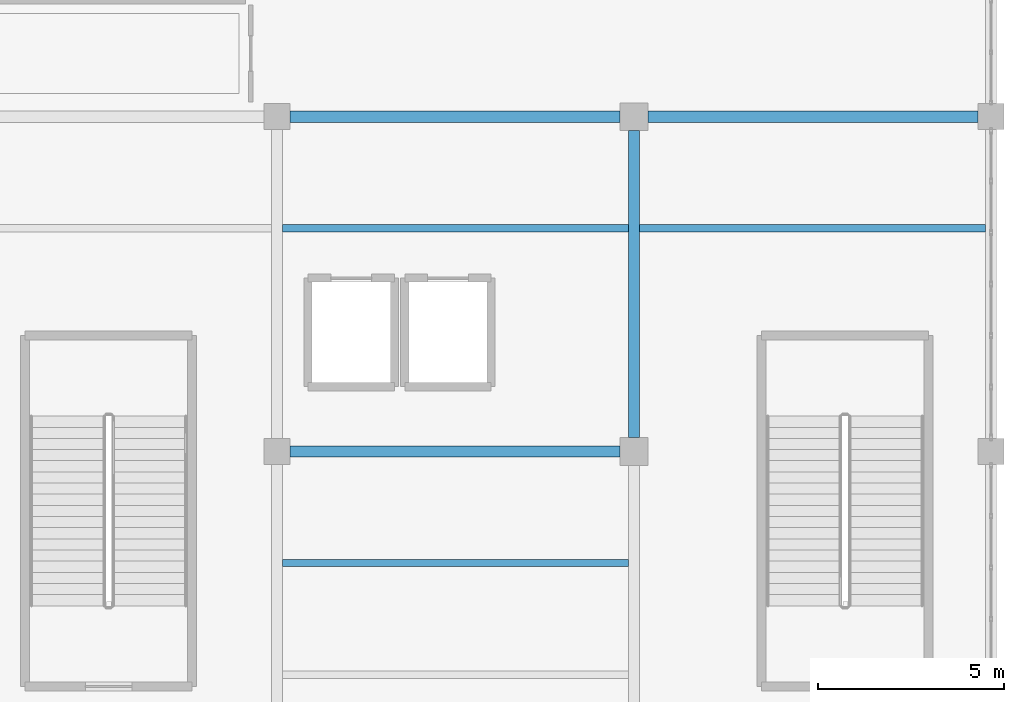
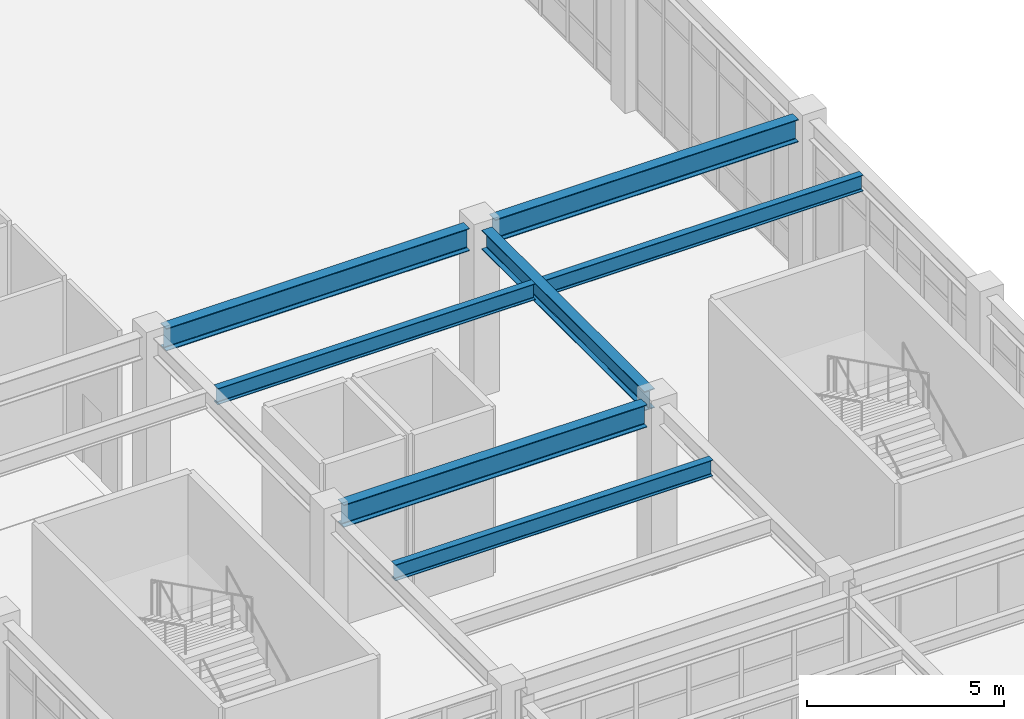
# One storey, part 27 of 80: 7 beams.
"""IFC4 building model written with IfcOpenShell, lengths in metres."""

from ifc_helpers import new_model, si_unit, direction, frame, origin, origin_2d, place, context, subcontext, project, spatial, i_section, extrude, material, material_profile, profile_set, type_object, element, save


model = new_model("IFC4")

# Units and contexts
model_context = context("Model", 3, precision=1e-05, world=origin(), true_north=direction((0.0, 1.0)))
body_context = subcontext(model_context, "Body", "Model", "MODEL_VIEW")
ifc_project = project(units=[si_unit("LENGTHUNIT", "METRE"), si_unit("AREAUNIT", "SQUARE_METRE"), si_unit("VOLUMEUNIT", "CUBIC_METRE"), si_unit("PLANEANGLEUNIT", "RADIAN"), si_unit("MASSUNIT", "GRAM", prefix="KILO")], contexts=[model_context])

# Site, building, storey
site_placement = place(None, origin())
site = spatial("IfcSite", under=ifc_project, at=site_placement, CompositionType="ELEMENT")
building_placement = place(site_placement, origin())
building = spatial("IfcBuilding", under=site, at=building_placement, Name="Canglan Escarpment Cableway Terminal", CompositionType="ELEMENT")
storey_placement = place(building_placement, frame((0.0, 0.0, 19.199951171875)))
storey = spatial("IfcBuildingStorey", under=building, at=storey_placement, Name="L04", CompositionType="ELEMENT", Elevation=19.199951171875)

# Beams
ifc_material_1 = material(Name="Steel Q355C", Category="steel")
ifc_material_profile_1 = material_profile(ifc_material_1, i_section(OverallWidth=0.302001953125, OverallDepth=0.593994140625, WebThickness=0.013916015625, FlangeThickness=0.02294921875, FilletRadius=0.028076171875, at=origin_2d()), Name="HM 594x302x14x23")
ifc_profile_set_1 = profile_set([ifc_material_profile_1], Name="Steel Q355C")
beam_type_1 = type_object("IfcBeamType", Name="BM-HM594", PredefinedType="BEAM", material=ifc_profile_set_1)
beam_1_placement = place(storey_placement, frame((156.800048828125, 43.375, 4.863037109375), z_axis=(0.0, 1.0, 0.0), x_axis=(-1.0, 0.0, 0.0)))
element("IfcBeam", 1, at=beam_1_placement, inside=storey, type_object=beam_type_1, Name="Primary transverse girder B-07", PredefinedType="BEAM", context=body_context, shape_type="SweptSolid", body=[
    extrude(i_section(OverallWidth=0.302001953125, OverallDepth=0.593994140625, WebThickness=0.013916015625, FlangeThickness=0.02294921875, FilletRadius=0.028076171875, at=origin_2d()), origin(), (0.0, 0.0, 1.0), 8.25),
])
ifc_material_profile_2 = material_profile(ifc_material_1, i_section(OverallWidth=0.300048828125, OverallDepth=0.699951171875, WebThickness=0.012939453125, FlangeThickness=0.02392578125, FilletRadius=0.028076171875, at=origin_2d()), Name="HN 700x300x13x24")
ifc_profile_set_2 = profile_set([ifc_material_profile_2], Name="Steel Q355C")
beam_type_2 = type_object("IfcBeamType", Name="BM-HN700", PredefinedType="BEAM", material=ifc_profile_set_2)
for number, where, z_axis, x_axis, name in (
    (2, (147.550048828125, 43.0, 4.81005859375), (1.0, 0.0, 0.0), (0.0, 1.0, 0.0), "Primary structural girder B-06"),
    (3, (147.550048828125, 52.0, 4.81005859375), (1.0, 0.0, 0.0), (0.0, 1.0, 0.0), "Primary structural girder B-06"),
    (4, (157.175048828125, 52.0, 4.81005859375), (1.0, 0.0, 0.0), (0.0, 1.0, 0.0), "Primary structural girder B-06"),
):
    element("IfcBeam", number, at=place(storey_placement, frame(where, z_axis=z_axis, x_axis=x_axis)), inside=storey, type_object=beam_type_2, Name=name, PredefinedType="BEAM", context=body_context, shape_type="SweptSolid", body=[
        extrude(i_section(OverallWidth=0.300048828125, OverallDepth=0.699951171875, WebThickness=0.012939453125, FlangeThickness=0.02392578125, FilletRadius=0.028076171875, at=origin_2d()), origin(), (0.0, 0.0, 1.0), 8.875),
    ])
ifc_material_2 = material(Name="Steel Q355B", Category="steel")
ifc_material_profile_3 = material_profile(ifc_material_2, i_section(OverallWidth=0.199951171875, OverallDepth=0.5, WebThickness=0.010009765625, FlangeThickness=0.01611328125, FilletRadius=0.02001953125, at=origin_2d()), Name="HN 500x200x10x16")
ifc_profile_set_3 = profile_set([ifc_material_profile_3], Name="Steel Q355B")
beam_type_3 = type_object("IfcBeamType", Name="JS-HN500", PredefinedType="JOIST", material=ifc_profile_set_3)
for number, where, z_axis, x_axis, name in (
    (5, (147.35107421875, 40.0, 4.91015625), (1.0, 0.0, 0.0), (0.0, 1.0, 0.0), "Secondary composite deck joist J-01"),
    (6, (147.35107421875, 49.0, 4.91015625), (1.0, 0.0, 0.0), (0.0, 1.0, 0.0), "Secondary composite deck joist J-01"),
):
    element("IfcBeam", number, at=place(storey_placement, frame(where, z_axis=z_axis, x_axis=x_axis)), inside=storey, type_object=beam_type_3, Name=name, PredefinedType="JOIST", context=body_context, shape_type="SweptSolid", body=[
        extrude(i_section(OverallWidth=0.199951171875, OverallDepth=0.5, WebThickness=0.010009765625, FlangeThickness=0.01611328125, FilletRadius=0.02001953125, at=origin_2d()), origin(), (0.0, 0.0, 1.0), 9.2978515625),
    ])
beam_2_placement = place(storey_placement, frame((156.950927734375, 49.0, 4.91015625), z_axis=(1.0, 0.0, 0.0), x_axis=(0.0, 1.0, 0.0)))
element("IfcBeam", 7, at=beam_2_placement, inside=storey, type_object=beam_type_3, Name="Secondary composite deck joist J-01", PredefinedType="JOIST", context=body_context, shape_type="SweptSolid", body=[
    extrude(i_section(OverallWidth=0.199951171875, OverallDepth=0.5, WebThickness=0.010009765625, FlangeThickness=0.01611328125, FilletRadius=0.02001953125, at=origin_2d()), origin(), (0.0, 0.0, 1.0), 9.298095703125),
])

save(model, "model.ifc")
